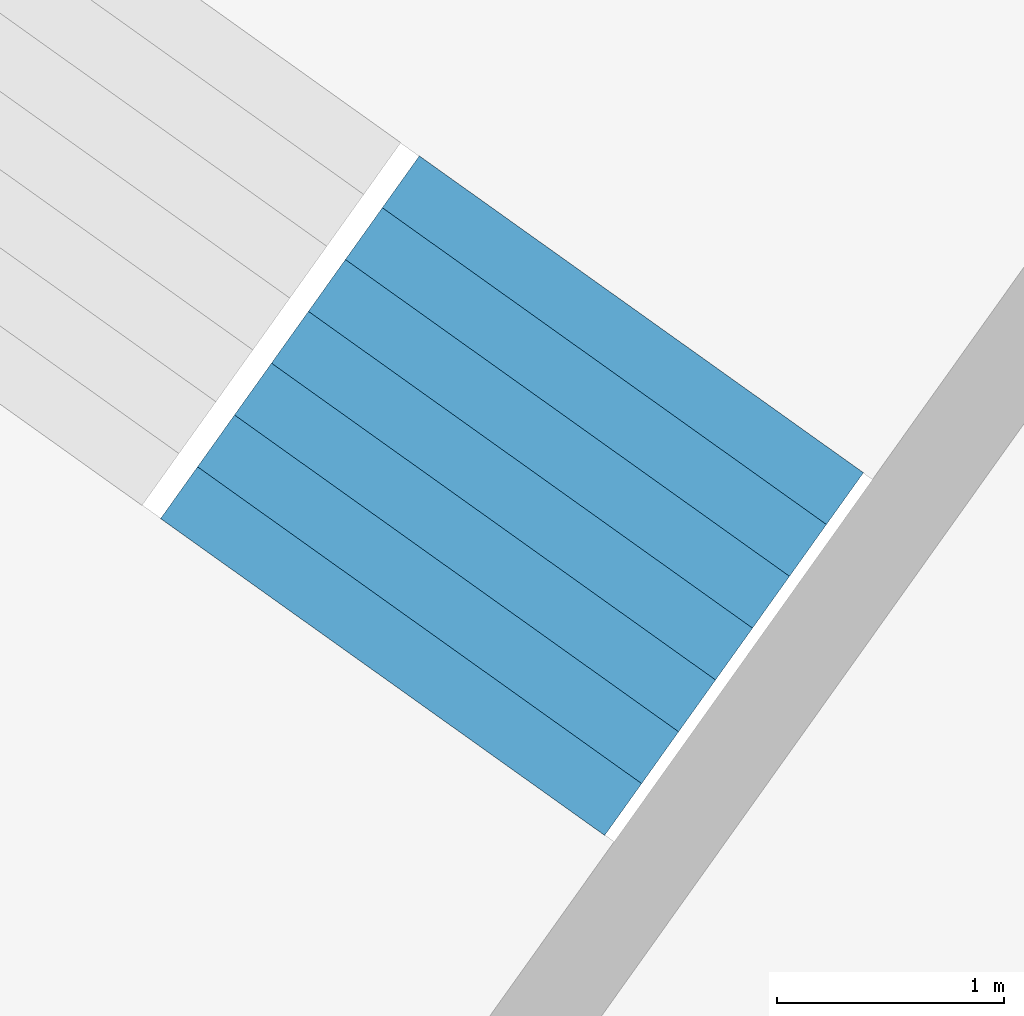
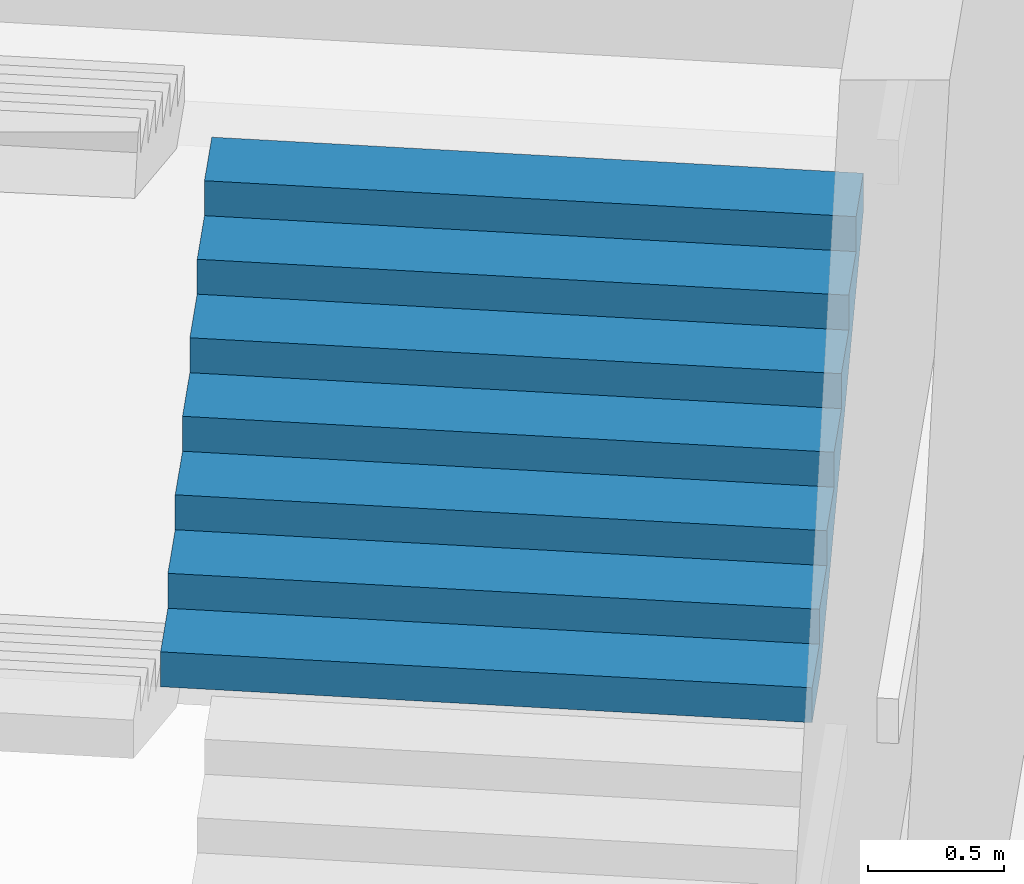
# One storey, part 72 of 73: 1 stair flight, 1 element without a shape of its own.
"""IFC4 building model written with IfcOpenShell, lengths in metres."""

from ifc_helpers import new_model, si_unit, direction, frame, origin, place, context, subcontext, project, spatial, triangles, material, type_object, element, aggregate, save


model = new_model("IFC4")

# Units and contexts
model_context = context("Model", 3, precision=1e-05, world=origin(), true_north=direction((0.0, 1.0)))
body_context = subcontext(model_context, "Body", "Model", "MODEL_VIEW")
ifc_project = project(units=[si_unit("LENGTHUNIT", "METRE"), si_unit("AREAUNIT", "SQUARE_METRE"), si_unit("VOLUMEUNIT", "CUBIC_METRE"), si_unit("PLANEANGLEUNIT", "RADIAN"), si_unit("MASSUNIT", "GRAM", prefix="KILO")], contexts=[model_context])

# Site, building, storey
site_placement = place(None, origin())
site = spatial("IfcSite", under=ifc_project, at=site_placement, CompositionType="ELEMENT")
building_placement = place(site_placement, origin())
building = spatial("IfcBuilding", under=site, at=building_placement, Name="Lantaw Convention Tower", CompositionType="ELEMENT")
storey_placement = place(building_placement, frame((0.0, 0.0, 27.0)))
storey = spatial("IfcBuildingStorey", under=building, at=storey_placement, Name="L04", CompositionType="ELEMENT", Elevation=27.0)

# Stair, stair flight
ifc_material = material(Name="Concrete C35/45", Category="concrete")
stair_type = type_object("IfcStairType", Name="Exit stair 2400 riser 156.25 in 4 flights", PredefinedType="HALF_TURN_STAIR", material=ifc_material)
stair_placement = place(storey_placement, origin())
stair = element("IfcStair", 1, at=stair_placement, inside=storey, type_object=stair_type, Name="Podium exit stair P4 L04", PredefinedType="HALF_TURN_STAIR")
stair_flight_type = type_object("IfcStairFlightType", Name="Stair flight 2400 riser 156.25", PredefinedType="STRAIGHT", material=ifc_material)
stair_flight_placement = place(storey_placement, frame((19.005615234375, 24.4921875, 2.5), z_axis=(0.0, 0.0, 1.0), x_axis=(0.580702955711, 0.814115518356, 0.0)))
stair_flight = element("IfcStairFlight", 2, at=stair_flight_placement, type_object=stair_flight_type, Name="P4 flight 3", NumberOfRisers=8, NumberOfTreads=7, PredefinedType="STRAIGHT", RiserHeight=0.15625, TreadLength=0.28, context=body_context, shape_type="Tessellation", body=[
    triangles([(0.0, 1.199951171875, 0.0), (0.0, 1.199951171875, 0.15625), (0.28, 1.199951171875, 0.0), (0.28, 1.199951171875, 0.15625), (0.28, 1.199951171875, 0.3125), (0.3076200632058044, 1.199951171875, 0.0), (0.3076200632058044, 1.199951171875, 0.3125), (0.56, 1.199951171875, 0.14083701830033238), (0.56, 1.199951171875, 0.3125), (0.56, 1.199951171875, 0.46875), (0.8400000000000001, 1.199951171875, 0.29708701830033235), (0.8400000000000001, 1.199951171875, 0.46875), (0.8400000000000001, 1.199951171875, 0.625), (1.12, 1.199951171875, 0.45333701830033235), (1.12, 1.199951171875, 0.625), (1.12, 1.199951171875, 0.78125), (1.4000000000000001, 1.199951171875, 0.6095870183003324), (1.4000000000000001, 1.199951171875, 0.78125), (1.4000000000000001, 1.199951171875, 0.9375), (1.6800000000000002, 1.199951171875, 0.7658370183003324), (1.6800000000000002, 1.199951171875, 0.9375), (1.6800000000000002, 1.199951171875, 1.09375), (1.9600000000000002, 1.199951171875, 0.9220870183003324), (1.9600000000000002, 1.199951171875, 1.09375), (0.0, -1.199951171875, 0.0), (0.0, -1.199951171875, 0.15625), (0.28, -1.199951171875, 0.0), (0.28, -1.199951171875, 0.15625), (0.28, -1.199951171875, 0.3125), (0.3076200632058044, -1.199951171875, 0.0), (0.3076200632058044, -1.199951171875, 0.3125), (0.56, -1.199951171875, 0.14083701830033238), (0.56, -1.199951171875, 0.3125), (0.56, -1.199951171875, 0.46875), (0.8400000000000001, -1.199951171875, 0.29708701830033235), (0.8400000000000001, -1.199951171875, 0.46875), (0.8400000000000001, -1.199951171875, 0.625), (1.12, -1.199951171875, 0.45333701830033235), (1.12, -1.199951171875, 0.625), (1.12, -1.199951171875, 0.78125), (1.4000000000000001, -1.199951171875, 0.6095870183003324), (1.4000000000000001, -1.199951171875, 0.78125), (1.4000000000000001, -1.199951171875, 0.9375), (1.6800000000000002, -1.199951171875, 0.7658370183003324), (1.6800000000000002, -1.199951171875, 0.9375), (1.6800000000000002, -1.199951171875, 1.09375), (1.9600000000000002, -1.199951171875, 0.9220870183003324), (1.9600000000000002, -1.199951171875, 1.09375), (0.0, 0.239990234375, 0.15625), (0.0, 0.239990234375, 0.0), (0.0, 0.1919921875, 0.15625), (0.0, 0.1919921875, 0.0), (0.0, 0.143994140625, 0.15625), (0.0, 0.143994140625, 0.0), (0.0, 0.09599609375, 0.15625), (0.0, 0.09599609375, 0.0), (0.0, 0.047998046875, 0.15625), (0.0, 0.047998046875, 0.0), (0.0, 0.0, 0.15625), (0.0, 0.0, 0.0), (0.0, -0.047998046875, 0.15625), (0.0, -0.047998046875, 0.0), (0.0, -0.09599609375, 0.15625), (0.0, -0.09599609375, 0.0), (0.0, -0.143994140625, 0.15625), (0.0, -0.143994140625, 0.0), (0.0, -0.1919921875, 0.15625), (0.0, -0.1919921875, 0.0), (0.0, -0.239990234375, 0.15625), (0.0, -0.239990234375, 0.0), (0.28, 0.239990234375, 0.3125), (0.28, 0.239990234375, 0.15625), (0.28, 0.1919921875, 0.3125), (0.28, 0.1919921875, 0.15625), (0.28, 0.143994140625, 0.3125), (0.28, 0.143994140625, 0.15625), (0.28, 0.09599609375, 0.3125), (0.28, 0.09599609375, 0.15625), (0.28, 0.047998046875, 0.3125), (0.28, 0.047998046875, 0.15625), (0.28, 0.0, 0.3125), (0.28, 0.0, 0.15625), (0.28, -0.047998046875, 0.3125), (0.28, -0.047998046875, 0.15625), (0.28, -0.09599609375, 0.3125), (0.28, -0.09599609375, 0.15625), (0.28, -0.143994140625, 0.3125), (0.28, -0.143994140625, 0.15625), (0.28, -0.1919921875, 0.3125), (0.28, -0.1919921875, 0.15625), (0.28, -0.239990234375, 0.3125), (0.28, -0.239990234375, 0.15625), (0.56, 0.239990234375, 0.46875), (0.56, 0.239990234375, 0.3125), (0.56, 0.1919921875, 0.46875), (0.56, 0.1919921875, 0.3125), (0.56, 0.143994140625, 0.46875), (0.56, 0.143994140625, 0.3125), (0.56, 0.09599609375, 0.46875), (0.56, 0.09599609375, 0.3125), (0.56, 0.047998046875, 0.46875), (0.56, 0.047998046875, 0.3125), (0.56, 0.0, 0.46875), (0.56, 0.0, 0.3125), (0.56, -0.047998046875, 0.46875), (0.56, -0.047998046875, 0.3125), (0.56, -0.09599609375, 0.46875), (0.56, -0.09599609375, 0.3125), (0.56, -0.143994140625, 0.46875), (0.56, -0.143994140625, 0.3125), (0.56, -0.1919921875, 0.46875), (0.56, -0.1919921875, 0.3125), (0.56, -0.239990234375, 0.46875), (0.56, -0.239990234375, 0.3125), (0.8400000000000001, 0.239990234375, 0.625), (0.8400000000000001, 0.239990234375, 0.46875), (0.8400000000000001, 0.1919921875, 0.625), (0.8400000000000001, 0.1919921875, 0.46875), (0.8400000000000001, 0.143994140625, 0.625), (0.8400000000000001, 0.143994140625, 0.46875), (0.8400000000000001, 0.09599609375, 0.625), (0.8400000000000001, 0.09599609375, 0.46875), (0.8400000000000001, 0.047998046875, 0.625), (0.8400000000000001, 0.047998046875, 0.46875), (0.8400000000000001, 0.0, 0.625), (0.8400000000000001, 0.0, 0.46875), (0.8400000000000001, -0.047998046875, 0.625), (0.8400000000000001, -0.047998046875, 0.46875), (0.8400000000000001, -0.09599609375, 0.625), (0.8400000000000001, -0.09599609375, 0.46875), (0.8400000000000001, -0.143994140625, 0.625), (0.8400000000000001, -0.143994140625, 0.46875), (0.8400000000000001, -0.1919921875, 0.625), (0.8400000000000001, -0.1919921875, 0.46875), (0.8400000000000001, -0.239990234375, 0.625), (0.8400000000000001, -0.239990234375, 0.46875), (1.12, 0.239990234375, 0.78125), (1.12, 0.239990234375, 0.625), (1.12, 0.1919921875, 0.78125), (1.12, 0.1919921875, 0.625), (1.12, 0.143994140625, 0.78125), (1.12, 0.143994140625, 0.625), (1.12, 0.09599609375, 0.78125), (1.12, 0.09599609375, 0.625), (1.12, 0.047998046875, 0.78125), (1.12, 0.047998046875, 0.625), (1.12, 0.0, 0.78125), (1.12, 0.0, 0.625), (1.12, -0.047998046875, 0.78125), (1.12, -0.047998046875, 0.625), (1.12, -0.09599609375, 0.78125), (1.12, -0.09599609375, 0.625), (1.12, -0.143994140625, 0.78125), (1.12, -0.143994140625, 0.625), (1.12, -0.1919921875, 0.78125), (1.12, -0.1919921875, 0.625), (1.12, -0.239990234375, 0.78125), (1.12, -0.239990234375, 0.625), (1.4000000000000001, 0.239990234375, 0.9375), (1.4000000000000001, 0.239990234375, 0.78125), (1.4000000000000001, 0.1919921875, 0.9375), (1.4000000000000001, 0.1919921875, 0.78125), (1.4000000000000001, 0.143994140625, 0.9375), (1.4000000000000001, 0.143994140625, 0.78125), (1.4000000000000001, 0.09599609375, 0.9375), (1.4000000000000001, 0.09599609375, 0.78125), (1.4000000000000001, 0.047998046875, 0.9375), (1.4000000000000001, 0.047998046875, 0.78125), (1.4000000000000001, 0.0, 0.9375), (1.4000000000000001, 0.0, 0.78125), (1.4000000000000001, -0.047998046875, 0.9375), (1.4000000000000001, -0.047998046875, 0.78125), (1.4000000000000001, -0.09599609375, 0.9375), (1.4000000000000001, -0.09599609375, 0.78125), (1.4000000000000001, -0.143994140625, 0.9375), (1.4000000000000001, -0.143994140625, 0.78125), (1.4000000000000001, -0.1919921875, 0.9375), (1.4000000000000001, -0.1919921875, 0.78125), (1.4000000000000001, -0.239990234375, 0.9375), (1.4000000000000001, -0.239990234375, 0.78125), (1.6800000000000002, 0.239990234375, 1.09375), (1.6800000000000002, 0.239990234375, 0.9375), (1.6800000000000002, 0.1919921875, 1.09375), (1.6800000000000002, 0.1919921875, 0.9375), (1.6800000000000002, 0.143994140625, 1.09375), (1.6800000000000002, 0.143994140625, 0.9375), (1.6800000000000002, 0.09599609375, 1.09375), (1.6800000000000002, 0.09599609375, 0.9375), (1.6800000000000002, 0.047998046875, 1.09375), (1.6800000000000002, 0.047998046875, 0.9375), (1.6800000000000002, 0.0, 1.09375), (1.6800000000000002, 0.0, 0.9375), (1.6800000000000002, -0.047998046875, 1.09375), (1.6800000000000002, -0.047998046875, 0.9375), (1.6800000000000002, -0.09599609375, 1.09375), (1.6800000000000002, -0.09599609375, 0.9375), (1.6800000000000002, -0.143994140625, 1.09375), (1.6800000000000002, -0.143994140625, 0.9375), (1.6800000000000002, -0.1919921875, 1.09375), (1.6800000000000002, -0.1919921875, 0.9375), (1.6800000000000002, -0.239990234375, 1.09375), (1.6800000000000002, -0.239990234375, 0.9375), (0.3076200632058044, 0.239990234375, 0.3125), (0.3076200632058044, 0.1919921875, 0.3125), (0.3076200632058044, 0.143994140625, 0.3125), (0.3076200632058044, 0.09599609375, 0.3125), (0.3076200632058044, 0.047998046875, 0.3125), (0.3076200632058044, 0.0, 0.3125), (0.3076200632058044, -0.047998046875, 0.3125), (0.3076200632058044, -0.09599609375, 0.3125), (0.3076200632058044, -0.143994140625, 0.3125), (0.3076200632058044, -0.1919921875, 0.3125), (0.3076200632058044, -0.239990234375, 0.3125), (1.9600000000000002, 0.239990234375, 1.09375), (1.9600000000000002, 0.1919921875, 1.09375), (1.9600000000000002, 0.143994140625, 1.09375), (1.9600000000000002, 0.09599609375, 1.09375), (1.9600000000000002, 0.047998046875, 1.09375), (1.9600000000000002, 0.0, 1.09375), (1.9600000000000002, -0.047998046875, 1.09375), (1.9600000000000002, -0.09599609375, 1.09375), (1.9600000000000002, -0.143994140625, 1.09375), (1.9600000000000002, -0.1919921875, 1.09375), (1.9600000000000002, -0.239990234375, 1.09375), (1.9600000000000002, 0.239990234375, 0.9220870183003324), (1.9600000000000002, 0.1919921875, 0.9220870183003324), (1.9600000000000002, 0.143994140625, 0.9220870183003324), (1.9600000000000002, 0.09599609375, 0.9220870183003324), (1.9600000000000002, 0.047998046875, 0.9220870183003324), (1.9600000000000002, 0.0, 0.9220870183003324), (1.9600000000000002, -0.047998046875, 0.9220870183003324), (1.9600000000000002, -0.09599609375, 0.9220870183003324), (1.9600000000000002, -0.143994140625, 0.9220870183003324), (1.9600000000000002, -0.1919921875, 0.9220870183003324), (1.9600000000000002, -0.239990234375, 0.9220870183003324), (1.6800000000000002, 0.239990234375, 0.7658370183003324), (1.6800000000000002, 0.1919921875, 0.7658370183003324), (1.6800000000000002, 0.143994140625, 0.7658370183003324), (1.6800000000000002, 0.09599609375, 0.7658370183003324), (1.6800000000000002, 0.047998046875, 0.7658370183003324), (1.6800000000000002, 0.0, 0.7658370183003324), (1.6800000000000002, -0.047998046875, 0.7658370183003324), (1.6800000000000002, -0.09599609375, 0.7658370183003324), (1.6800000000000002, -0.143994140625, 0.7658370183003324), (1.6800000000000002, -0.1919921875, 0.7658370183003324), (1.6800000000000002, -0.239990234375, 0.7658370183003324), (1.4000000000000001, 0.239990234375, 0.6095870183003324), (1.4000000000000001, 0.1919921875, 0.6095870183003324), (1.4000000000000001, 0.143994140625, 0.6095870183003324), (1.4000000000000001, 0.09599609375, 0.6095870183003324), (1.4000000000000001, 0.047998046875, 0.6095870183003324), (1.4000000000000001, 0.0, 0.6095870183003324), (1.4000000000000001, -0.047998046875, 0.6095870183003324), (1.4000000000000001, -0.09599609375, 0.6095870183003324), (1.4000000000000001, -0.143994140625, 0.6095870183003324), (1.4000000000000001, -0.1919921875, 0.6095870183003324), (1.4000000000000001, -0.239990234375, 0.6095870183003324), (1.12, 0.239990234375, 0.45333701830033235), (1.12, 0.1919921875, 0.45333701830033235), (1.12, 0.143994140625, 0.45333701830033235), (1.12, 0.09599609375, 0.45333701830033235), (1.12, 0.047998046875, 0.45333701830033235), (1.12, 0.0, 0.45333701830033235), (1.12, -0.047998046875, 0.45333701830033235), (1.12, -0.09599609375, 0.45333701830033235), (1.12, -0.143994140625, 0.45333701830033235), (1.12, -0.1919921875, 0.45333701830033235), (1.12, -0.239990234375, 0.45333701830033235), (0.8400000000000001, 0.239990234375, 0.29708701830033235), (0.8400000000000001, 0.1919921875, 0.29708701830033235), (0.8400000000000001, 0.143994140625, 0.29708701830033235), (0.8400000000000001, 0.09599609375, 0.29708701830033235), (0.8400000000000001, 0.047998046875, 0.29708701830033235), (0.8400000000000001, 0.0, 0.29708701830033235), (0.8400000000000001, -0.047998046875, 0.29708701830033235), (0.8400000000000001, -0.09599609375, 0.29708701830033235), (0.8400000000000001, -0.143994140625, 0.29708701830033235), (0.8400000000000001, -0.1919921875, 0.29708701830033235), (0.8400000000000001, -0.239990234375, 0.29708701830033235), (0.56, 0.239990234375, 0.14083701830033238), (0.56, 0.1919921875, 0.14083701830033238), (0.56, 0.143994140625, 0.14083701830033238), (0.56, 0.09599609375, 0.14083701830033238), (0.56, 0.047998046875, 0.14083701830033238), (0.56, 0.0, 0.14083701830033238), (0.56, -0.047998046875, 0.14083701830033238), (0.56, -0.09599609375, 0.14083701830033238), (0.56, -0.143994140625, 0.14083701830033238), (0.56, -0.1919921875, 0.14083701830033238), (0.56, -0.239990234375, 0.14083701830033238), (0.3076200632058044, 0.239990234375, 0.0), (0.3076200632058044, 0.1919921875, 0.0), (0.3076200632058044, 0.143994140625, 0.0), (0.3076200632058044, 0.09599609375, 0.0), (0.3076200632058044, 0.047998046875, 0.0), (0.3076200632058044, 0.0, 0.0), (0.3076200632058044, -0.047998046875, 0.0), (0.3076200632058044, -0.09599609375, 0.0), (0.3076200632058044, -0.143994140625, 0.0), (0.3076200632058044, -0.1919921875, 0.0), (0.3076200632058044, -0.239990234375, 0.0), (0.28, 0.239990234375, 0.0), (0.28, 0.1919921875, 0.0), (0.28, 0.143994140625, 0.0), (0.28, 0.09599609375, 0.0), (0.28, 0.047998046875, 0.0), (0.28, 0.0, 0.0), (0.28, -0.047998046875, 0.0), (0.28, -0.09599609375, 0.0), (0.28, -0.143994140625, 0.0), (0.28, -0.1919921875, 0.0), (0.28, -0.239990234375, 0.0)], [[1, 4, 3], [1, 2, 4], [3, 4, 6], [4, 7, 6], [4, 5, 7], [6, 9, 8], [6, 7, 9], [8, 9, 11], [9, 12, 11], [9, 10, 12], [11, 12, 14], [12, 15, 14], [12, 13, 15], [14, 15, 17], [15, 18, 17], [15, 16, 18], [17, 18, 20], [18, 21, 20], [18, 19, 21], [20, 21, 23], [21, 24, 23], [21, 22, 24], [25, 27, 28], [25, 28, 26], [27, 30, 28], [28, 30, 31], [28, 31, 29], [30, 32, 33], [30, 33, 31], [32, 35, 33], [33, 35, 36], [33, 36, 34], [35, 38, 36], [36, 38, 39], [36, 39, 37], [38, 41, 39], [39, 41, 42], [39, 42, 40], [41, 44, 42], [42, 44, 45], [42, 45, 43], [44, 47, 45], [45, 47, 48], [45, 48, 46], [1, 49, 2], [1, 50, 49], [50, 51, 49], [50, 52, 51], [52, 53, 51], [52, 54, 53], [54, 55, 53], [54, 56, 55], [56, 57, 55], [56, 58, 57], [58, 59, 57], [58, 60, 59], [60, 61, 59], [60, 62, 61], [62, 63, 61], [62, 64, 63], [64, 65, 63], [64, 66, 65], [66, 67, 65], [66, 68, 67], [68, 69, 67], [68, 70, 69], [70, 26, 69], [70, 25, 26], [4, 71, 5], [4, 72, 71], [72, 73, 71], [72, 74, 73], [74, 75, 73], [74, 76, 75], [76, 77, 75], [76, 78, 77], [78, 79, 77], [78, 80, 79], [80, 81, 79], [80, 82, 81], [82, 83, 81], [82, 84, 83], [84, 85, 83], [84, 86, 85], [86, 87, 85], [86, 88, 87], [88, 89, 87], [88, 90, 89], [90, 91, 89], [90, 92, 91], [92, 29, 91], [92, 28, 29], [9, 93, 10], [9, 94, 93], [94, 95, 93], [94, 96, 95], [96, 97, 95], [96, 98, 97], [98, 99, 97], [98, 100, 99], [100, 101, 99], [100, 102, 101], [102, 103, 101], [102, 104, 103], [104, 105, 103], [104, 106, 105], [106, 107, 105], [106, 108, 107], [108, 109, 107], [108, 110, 109], [110, 111, 109], [110, 112, 111], [112, 113, 111], [112, 114, 113], [114, 34, 113], [114, 33, 34], [12, 115, 13], [12, 116, 115], [116, 117, 115], [116, 118, 117], [118, 119, 117], [118, 120, 119], [120, 121, 119], [120, 122, 121], [122, 123, 121], [122, 124, 123], [124, 125, 123], [124, 126, 125], [126, 127, 125], [126, 128, 127], [128, 129, 127], [128, 130, 129], [130, 131, 129], [130, 132, 131], [132, 133, 131], [132, 134, 133], [134, 135, 133], [134, 136, 135], [136, 37, 135], [136, 36, 37], [15, 137, 16], [15, 138, 137], [138, 139, 137], [138, 140, 139], [140, 141, 139], [140, 142, 141], [142, 143, 141], [142, 144, 143], [144, 145, 143], [144, 146, 145], [146, 147, 145], [146, 148, 147], [148, 149, 147], [148, 150, 149], [150, 151, 149], [150, 152, 151], [152, 153, 151], [152, 154, 153], [154, 155, 153], [154, 156, 155], [156, 157, 155], [156, 158, 157], [158, 40, 157], [158, 39, 40], [18, 159, 19], [18, 160, 159], [160, 161, 159], [160, 162, 161], [162, 163, 161], [162, 164, 163], [164, 165, 163], [164, 166, 165], [166, 167, 165], [166, 168, 167], [168, 169, 167], [168, 170, 169], [170, 171, 169], [170, 172, 171], [172, 173, 171], [172, 174, 173], [174, 175, 173], [174, 176, 175], [176, 177, 175], [176, 178, 177], [178, 179, 177], [178, 180, 179], [180, 43, 179], [180, 42, 43], [21, 181, 22], [21, 182, 181], [182, 183, 181], [182, 184, 183], [184, 185, 183], [184, 186, 185], [186, 187, 185], [186, 188, 187], [188, 189, 187], [188, 190, 189], [190, 191, 189], [190, 192, 191], [192, 193, 191], [192, 194, 193], [194, 195, 193], [194, 196, 195], [196, 197, 195], [196, 198, 197], [198, 199, 197], [198, 200, 199], [200, 201, 199], [200, 202, 201], [202, 46, 201], [202, 45, 46], [2, 72, 4], [2, 49, 72], [49, 74, 72], [49, 51, 74], [51, 76, 74], [51, 53, 76], [53, 78, 76], [53, 55, 78], [55, 80, 78], [55, 57, 80], [57, 82, 80], [57, 59, 82], [59, 84, 82], [59, 61, 84], [61, 86, 84], [61, 63, 86], [63, 88, 86], [63, 65, 88], [65, 90, 88], [65, 67, 90], [67, 92, 90], [67, 69, 92], [69, 28, 92], [69, 26, 28], [5, 203, 7], [5, 71, 203], [71, 204, 203], [71, 73, 204], [73, 205, 204], [73, 75, 205], [75, 206, 205], [75, 77, 206], [77, 207, 206], [77, 79, 207], [79, 208, 207], [79, 81, 208], [81, 209, 208], [81, 83, 209], [83, 210, 209], [83, 85, 210], [85, 211, 210], [85, 87, 211], [87, 212, 211], [87, 89, 212], [89, 213, 212], [89, 91, 213], [91, 31, 213], [91, 29, 31], [7, 94, 9], [7, 203, 94], [203, 96, 94], [203, 204, 96], [204, 98, 96], [204, 205, 98], [205, 100, 98], [205, 206, 100], [206, 102, 100], [206, 207, 102], [207, 104, 102], [207, 208, 104], [208, 106, 104], [208, 209, 106], [209, 108, 106], [209, 210, 108], [210, 110, 108], [210, 211, 110], [211, 112, 110], [211, 212, 112], [212, 114, 112], [212, 213, 114], [213, 33, 114], [213, 31, 33], [10, 116, 12], [10, 93, 116], [93, 118, 116], [93, 95, 118], [95, 120, 118], [95, 97, 120], [97, 122, 120], [97, 99, 122], [99, 124, 122], [99, 101, 124], [101, 126, 124], [101, 103, 126], [103, 128, 126], [103, 105, 128], [105, 130, 128], [105, 107, 130], [107, 132, 130], [107, 109, 132], [109, 134, 132], [109, 111, 134], [111, 136, 134], [111, 113, 136], [113, 36, 136], [113, 34, 36], [13, 138, 15], [13, 115, 138], [115, 140, 138], [115, 117, 140], [117, 142, 140], [117, 119, 142], [119, 144, 142], [119, 121, 144], [121, 146, 144], [121, 123, 146], [123, 148, 146], [123, 125, 148], [125, 150, 148], [125, 127, 150], [127, 152, 150], [127, 129, 152], [129, 154, 152], [129, 131, 154], [131, 156, 154], [131, 133, 156], [133, 158, 156], [133, 135, 158], [135, 39, 158], [135, 37, 39], [16, 160, 18], [16, 137, 160], [137, 162, 160], [137, 139, 162], [139, 164, 162], [139, 141, 164], [141, 166, 164], [141, 143, 166], [143, 168, 166], [143, 145, 168], [145, 170, 168], [145, 147, 170], [147, 172, 170], [147, 149, 172], [149, 174, 172], [149, 151, 174], [151, 176, 174], [151, 153, 176], [153, 178, 176], [153, 155, 178], [155, 180, 178], [155, 157, 180], [157, 42, 180], [157, 40, 42], [19, 182, 21], [19, 159, 182], [159, 184, 182], [159, 161, 184], [161, 186, 184], [161, 163, 186], [163, 188, 186], [163, 165, 188], [165, 190, 188], [165, 167, 190], [167, 192, 190], [167, 169, 192], [169, 194, 192], [169, 171, 194], [171, 196, 194], [171, 173, 196], [173, 198, 196], [173, 175, 198], [175, 200, 198], [175, 177, 200], [177, 202, 200], [177, 179, 202], [179, 45, 202], [179, 43, 45], [22, 214, 24], [22, 181, 214], [181, 215, 214], [181, 183, 215], [183, 216, 215], [183, 185, 216], [185, 217, 216], [185, 187, 217], [187, 218, 217], [187, 189, 218], [189, 219, 218], [189, 191, 219], [191, 220, 219], [191, 193, 220], [193, 221, 220], [193, 195, 221], [195, 222, 221], [195, 197, 222], [197, 223, 222], [197, 199, 223], [199, 224, 223], [199, 201, 224], [201, 48, 224], [201, 46, 48], [24, 225, 23], [24, 214, 225], [214, 226, 225], [214, 215, 226], [215, 227, 226], [215, 216, 227], [216, 228, 227], [216, 217, 228], [217, 229, 228], [217, 218, 229], [218, 230, 229], [218, 219, 230], [219, 231, 230], [219, 220, 231], [220, 232, 231], [220, 221, 232], [221, 233, 232], [221, 222, 233], [222, 234, 233], [222, 223, 234], [223, 235, 234], [223, 224, 235], [224, 47, 235], [224, 48, 47], [23, 236, 20], [23, 225, 236], [225, 237, 236], [225, 226, 237], [226, 238, 237], [226, 227, 238], [227, 239, 238], [227, 228, 239], [228, 240, 239], [228, 229, 240], [229, 241, 240], [229, 230, 241], [230, 242, 241], [230, 231, 242], [231, 243, 242], [231, 232, 243], [232, 244, 243], [232, 233, 244], [233, 245, 244], [233, 234, 245], [234, 246, 245], [234, 235, 246], [235, 44, 246], [235, 47, 44], [20, 247, 17], [20, 236, 247], [236, 248, 247], [236, 237, 248], [237, 249, 248], [237, 238, 249], [238, 250, 249], [238, 239, 250], [239, 251, 250], [239, 240, 251], [240, 252, 251], [240, 241, 252], [241, 253, 252], [241, 242, 253], [242, 254, 253], [242, 243, 254], [243, 255, 254], [243, 244, 255], [244, 256, 255], [244, 245, 256], [245, 257, 256], [245, 246, 257], [246, 41, 257], [246, 44, 41], [17, 258, 14], [17, 247, 258], [247, 259, 258], [247, 248, 259], [248, 260, 259], [248, 249, 260], [249, 261, 260], [249, 250, 261], [250, 262, 261], [250, 251, 262], [251, 263, 262], [251, 252, 263], [252, 264, 263], [252, 253, 264], [253, 265, 264], [253, 254, 265], [254, 266, 265], [254, 255, 266], [255, 267, 266], [255, 256, 267], [256, 268, 267], [256, 257, 268], [257, 38, 268], [257, 41, 38], [14, 269, 11], [14, 258, 269], [258, 270, 269], [258, 259, 270], [259, 271, 270], [259, 260, 271], [260, 272, 271], [260, 261, 272], [261, 273, 272], [261, 262, 273], [262, 274, 273], [262, 263, 274], [263, 275, 274], [263, 264, 275], [264, 276, 275], [264, 265, 276], [265, 277, 276], [265, 266, 277], [266, 278, 277], [266, 267, 278], [267, 279, 278], [267, 268, 279], [268, 35, 279], [268, 38, 35], [11, 280, 8], [11, 269, 280], [269, 281, 280], [269, 270, 281], [270, 282, 281], [270, 271, 282], [271, 283, 282], [271, 272, 283], [272, 284, 283], [272, 273, 284], [273, 285, 284], [273, 274, 285], [274, 286, 285], [274, 275, 286], [275, 287, 286], [275, 276, 287], [276, 288, 287], [276, 277, 288], [277, 289, 288], [277, 278, 289], [278, 290, 289], [278, 279, 290], [279, 32, 290], [279, 35, 32], [8, 291, 6], [8, 280, 291], [280, 292, 291], [280, 281, 292], [281, 293, 292], [281, 282, 293], [282, 294, 293], [282, 283, 294], [283, 295, 294], [283, 284, 295], [284, 296, 295], [284, 285, 296], [285, 297, 296], [285, 286, 297], [286, 298, 297], [286, 287, 298], [287, 299, 298], [287, 288, 299], [288, 300, 299], [288, 289, 300], [289, 301, 300], [289, 290, 301], [290, 30, 301], [290, 32, 30], [6, 302, 3], [6, 291, 302], [291, 303, 302], [291, 292, 303], [292, 304, 303], [292, 293, 304], [293, 305, 304], [293, 294, 305], [294, 306, 305], [294, 295, 306], [295, 307, 306], [295, 296, 307], [296, 308, 307], [296, 297, 308], [297, 309, 308], [297, 298, 309], [298, 310, 309], [298, 299, 310], [299, 311, 310], [299, 300, 311], [300, 312, 311], [300, 301, 312], [301, 27, 312], [301, 30, 27], [3, 50, 1], [3, 302, 50], [302, 52, 50], [302, 303, 52], [303, 54, 52], [303, 304, 54], [304, 56, 54], [304, 305, 56], [305, 58, 56], [305, 306, 58], [306, 60, 58], [306, 307, 60], [307, 62, 60], [307, 308, 62], [308, 64, 62], [308, 309, 64], [309, 66, 64], [309, 310, 66], [310, 68, 66], [310, 311, 68], [311, 70, 68], [311, 312, 70], [312, 25, 70], [312, 27, 25]], closed=True),
])
aggregate(stair, [stair_flight])

save(model, "model.ifc")
